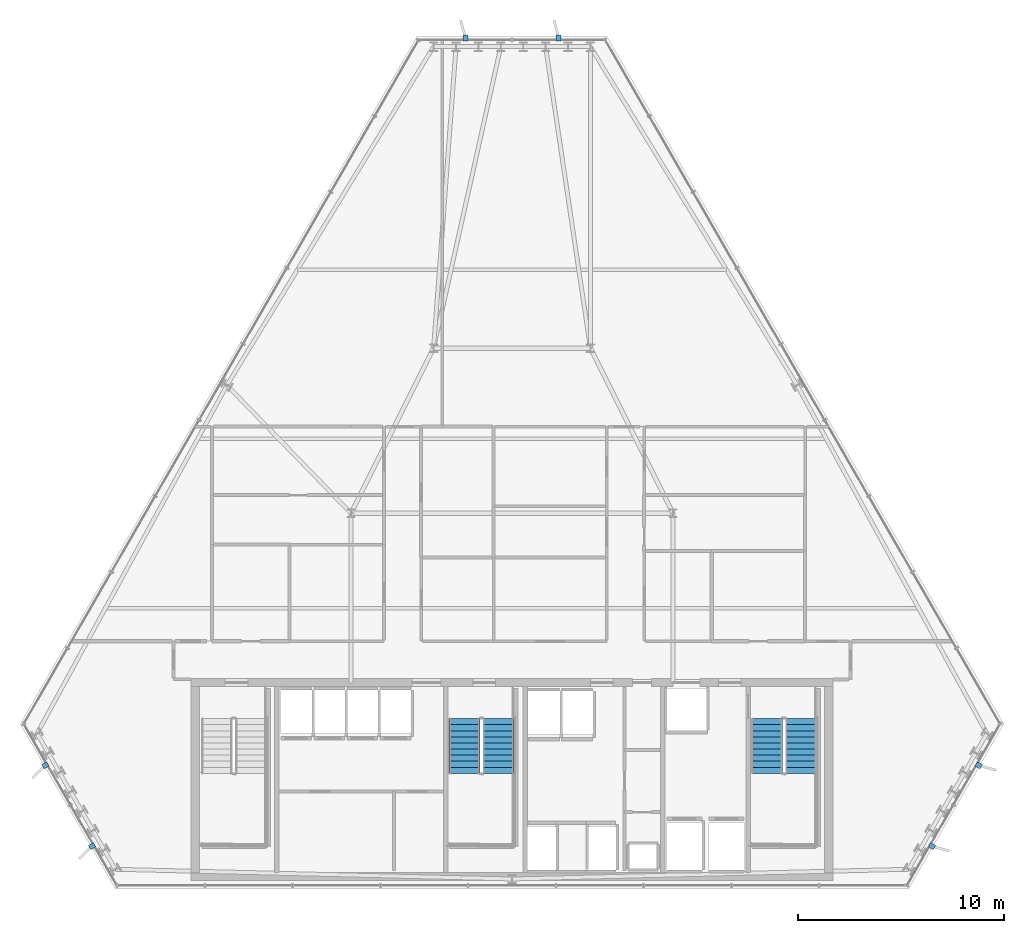
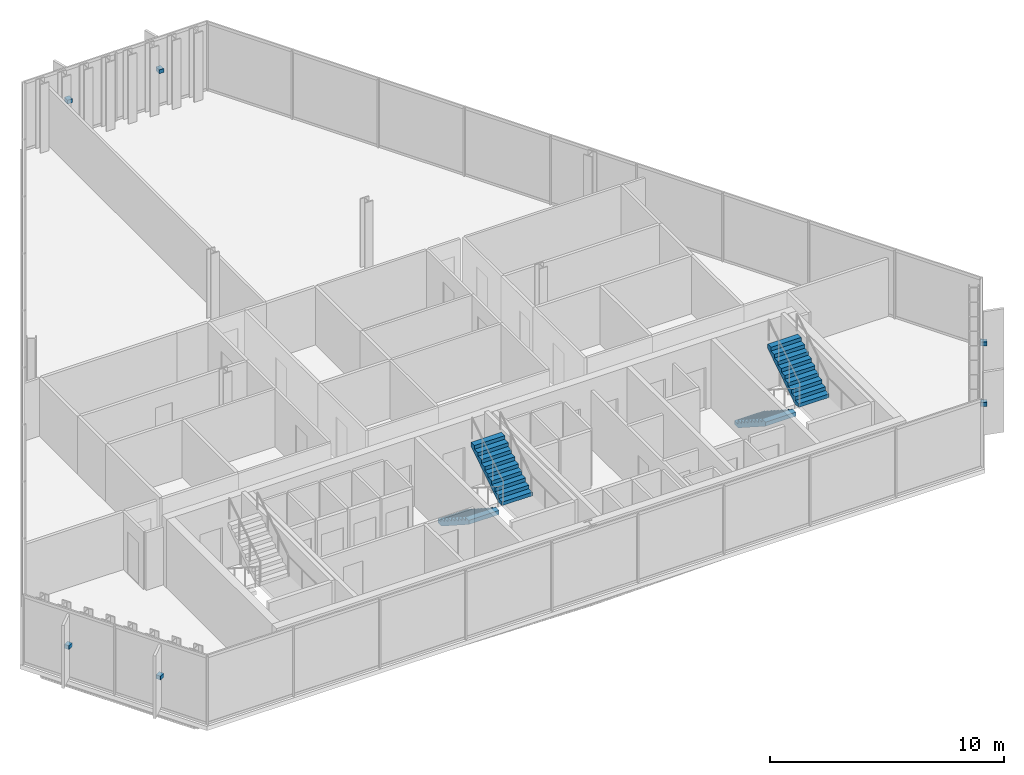
# One storey, part 30 of 34: 6 discrete accessories, 4 stair flights, 2 elements without a shape of their own.
"""IFC4 building model written with IfcOpenShell, lengths in metres."""

import ifcopenshell
import ifcopenshell.guid

model = None  # the IFC model being written
_history = None  # IfcOwnerHistory: only IFC2X3 demands one
_inside = {}  # id of a spatial element -> (the spatial element, [elements in it])
_under = {}  # id of a project, library or spatial element -> (it, [spatial elements below it])
_declared = {}  # id of a project -> (the project, [libraries it declares])
_typed = {}  # id of a type object -> (the type object, [elements of that type])
_made_of = {}  # id of a material, layer set ... -> (it, [elements and type objects made of it])


def new_model(schema):
    """Start an empty IFC model of exactly this schema.

    Asked for "IFC4X3", IfcOpenShell would pick the latest addendum, in which some entities
    have other attributes; the version numbers below select the first issue.
    IFC2X3 requires an IfcOwnerHistory on every rooted entity: one is made here for all.
    """
    global model, _history
    if schema == "IFC4X3":
        model = ifcopenshell.file(schema_version=(4, 3, 0, 0))
    else:
        model = ifcopenshell.file(schema=schema)
    _inside.clear()
    _under.clear()
    _declared.clear()
    _typed.clear()
    _made_of.clear()
    _history = None
    if model.schema == "IFC2X3":
        org = make("IfcOrganization", Name="unknown")
        user = make(
            "IfcPersonAndOrganization",
            ThePerson=make("IfcPerson", FamilyName="unknown"),
            TheOrganization=org,
        )
        app = make(
            "IfcApplication",
            ApplicationDeveloper=org,
            Version="unknown",
            ApplicationFullName="unknown",
            ApplicationIdentifier="unknown",
        )
        _history = make(
            "IfcOwnerHistory",
            OwningUser=user,
            OwningApplication=app,
            ChangeAction="ADDED",
            CreationDate=0,
        )
    return model


def make(cls, **values):
    """One entity of the class cls with the attributes given. An attribute that is None is left unset."""
    return model.create_entity(
        cls, **{name: value for name, value in values.items() if value is not None}
    )


def rooted(cls, **values):
    """An entity with a GlobalId (a new one), such as an element, a storey or a relation."""
    return make(cls, GlobalId=ifcopenshell.guid.new(), OwnerHistory=_history, **values)


def si_unit(unit_type, name, prefix=None):
    """IfcSIUnit, for example si_unit("LENGTHUNIT", "METRE", prefix="MILLI")."""
    return make("IfcSIUnit", UnitType=unit_type, Prefix=prefix, Name=name)


def assignment(units):
    """IfcUnitAssignment: the units of a project."""
    return None if units is None else make("IfcUnitAssignment", Units=units)


def point(xyz):
    """IfcCartesianPoint."""
    return None if xyz is None else make("IfcCartesianPoint", Coordinates=xyz)


def direction(xyz):
    """IfcDirection."""
    return None if xyz is None else make("IfcDirection", DirectionRatios=xyz)


def frame(location, z_axis=None, x_axis=None):
    """IfcAxis2Placement3D, a coordinate frame: its origin and axes. An axis left out is left unset."""
    return make(
        "IfcAxis2Placement3D",
        Location=point(location),
        Axis=direction(z_axis),
        RefDirection=direction(x_axis),
    )


def frame_2d(location, x_axis=None):
    """IfcAxis2Placement2D, a coordinate frame in the plane: its origin and x axis."""
    return make(
        "IfcAxis2Placement2D", Location=point(location), RefDirection=direction(x_axis)
    )


def origin():
    """The frame at (0, 0, 0) with its axes left unset."""
    return frame((0.0, 0.0, 0.0))


def origin_2d():
    """The frame at (0, 0) in the plane with its x axis left unset."""
    return frame_2d((0.0, 0.0))


def place(relative_to, where):
    """IfcLocalPlacement: puts the frame where relative to a parent placement (None: the world)."""
    return make(
        "IfcLocalPlacement", PlacementRelTo=relative_to, RelativePlacement=where
    )


def context(
    kind, dimensions, precision=None, world=None, true_north=None, identifier=None
):
    """IfcGeometricRepresentationContext, for example the 3D "Model" context."""
    return make(
        "IfcGeometricRepresentationContext",
        ContextIdentifier=identifier,
        ContextType=kind,
        CoordinateSpaceDimension=dimensions,
        Precision=precision,
        WorldCoordinateSystem=world,
        TrueNorth=true_north,
    )


def subcontext(parent, identifier, kind, view, scale=None):
    """IfcGeometricRepresentationSubContext, for example "Body" below "Model"."""
    return make(
        "IfcGeometricRepresentationSubContext",
        ContextIdentifier=identifier,
        ContextType=kind,
        ParentContext=parent,
        TargetScale=scale,
        TargetView=view,
    )


def project(units=None, contexts=None):
    """IfcProject with its units and contexts."""
    return rooted(
        "IfcProject",
        Name="project",
        RepresentationContexts=contexts,
        UnitsInContext=assignment(units),
    )


def spatial(cls, under=None, at=None, **own):
    """A site, building, storey or space (cls), placed at a placement, below another one or the project."""
    s = rooted(cls, ObjectPlacement=at, **own)
    if under is not None:
        _under.setdefault(under.id(), (under, []))[1].append(s)
    return s


def polyline(points):
    """IfcPolyline through the points."""
    return make("IfcPolyline", Points=[point(p) for p in points])


def profile(cls, at=None, kind="AREA", **sizes):
    """A parametric profile (cls). Its sizes go by their IFC names, for example OverallWidth=200.0."""
    return make(cls, ProfileType=kind, Position=at, **sizes)


def rectangle(**sizes):
    """IfcRectangleProfileDef."""
    return profile("IfcRectangleProfileDef", **sizes)


def outline(outer, holes=None, kind="AREA"):
    """IfcArbitraryClosedProfileDef: a profile drawn as a closed curve; with holes, ...WithVoids."""
    if holes is None:
        return make("IfcArbitraryClosedProfileDef", ProfileType=kind, OuterCurve=outer)
    return make(
        "IfcArbitraryProfileDefWithVoids",
        ProfileType=kind,
        OuterCurve=outer,
        InnerCurves=holes,
    )


def extrude(swept, where, along, depth):
    """IfcExtrudedAreaSolid: the profile swept, set in the frame where, extruded along a direction by depth."""
    return make(
        "IfcExtrudedAreaSolid",
        SweptArea=swept,
        Position=where,
        ExtrudedDirection=direction(along),
        Depth=depth,
    )


def shape(context_of_items, identifier, shape_type, items):
    """IfcShapeRepresentation: the items that make up one representation, for example the "Body"."""
    return make(
        "IfcShapeRepresentation",
        ContextOfItems=context_of_items,
        RepresentationIdentifier=identifier,
        RepresentationType=shape_type,
        Items=items,
    )


def material(Name=None, Category=None):
    """IfcMaterial."""
    return make("IfcMaterial", Name=Name, Category=Category)


def made_of(thing, what):
    """Note that an element or type object is made of a material, layer set ...; save() writes the relation."""
    if what is not None:
        _made_of.setdefault(what.id(), (what, []))[1].append(thing)
    return thing


def type_object(cls, material=None, **own):
    """A type object (cls), such as IfcWallType, which elements share."""
    return made_of(rooted(cls, **own), material)


def element(
    cls,
    number,
    at=None,
    inside=None,
    cuts=None,
    type_object=None,
    material=None,
    context=None,
    identifier="Body",
    shape_type=None,
    held_by="IfcProductDefinitionShape",
    body=None,
    shapes=None,
    **own,
):
    """One element of the class cls, such as IfcWall. Its Tag is "e" and its number.

    at: its placement. inside: the storey or other place that contains it. cuts: it is an
    opening in that element (IfcRelVoidsElement). A single representation is given by context,
    identifier, shape_type and body (its items); several are given by shapes. held_by: the class
    of the entity that holds the representations. save() writes the other relations.
    """
    e = rooted(cls, Tag="e%d" % number, ObjectPlacement=at, **own)
    if body is not None:
        shapes = [shape(context, identifier, shape_type, body)]
    if shapes is not None:
        e.Representation = make(held_by, Representations=shapes)
    if inside is not None:
        _inside.setdefault(inside.id(), (inside, []))[1].append(e)
    if cuts is not None:
        rooted(
            "IfcRelVoidsElement", RelatingBuildingElement=cuts, RelatedOpeningElement=e
        )
    if type_object is not None:
        _typed.setdefault(type_object.id(), (type_object, []))[1].append(e)
    return made_of(e, material)


def aggregate(whole, parts):
    """IfcRelAggregates: a whole, such as a stair, and the parts it consists of."""
    return rooted("IfcRelAggregates", RelatingObject=whole, RelatedObjects=parts)


def save(model, path):
    """Write the relations noted so far, then the file.

    IfcRelAggregates (storeys below a building ...), IfcRelContainedInSpatialStructure (elements
    in a storey), IfcRelDefinesByType, IfcRelAssociatesMaterial and IfcRelDeclares: one each for
    every whole, place, type object, material and project.
    """
    for whole, parts in _under.values():
        aggregate(whole, parts)
    for where, things in _inside.values():
        rooted(
            "IfcRelContainedInSpatialStructure",
            RelatedElements=things,
            RelatingStructure=where,
        )
    for kind, things in _typed.values():
        rooted("IfcRelDefinesByType", RelatedObjects=things, RelatingType=kind)
    for what, things in _made_of.values():
        rooted("IfcRelAssociatesMaterial", RelatedObjects=things, RelatingMaterial=what)
    for by, libraries in _declared.values():
        rooted("IfcRelDeclares", RelatingContext=by, RelatedDefinitions=libraries)
    model.write(path)


model = new_model("IFC4")

# Units and contexts
model_context = context("Model", 3, precision=1e-05, world=origin(), true_north=direction((0.0, 1.0)))
body_context = subcontext(model_context, "Body", "Model", "MODEL_VIEW")
ifc_project = project(units=[si_unit("LENGTHUNIT", "METRE"), si_unit("AREAUNIT", "SQUARE_METRE"), si_unit("VOLUMEUNIT", "CUBIC_METRE"), si_unit("PLANEANGLEUNIT", "RADIAN"), si_unit("MASSUNIT", "GRAM", prefix="KILO")], contexts=[model_context])

# Site, building, storey
site_placement = place(None, origin())
site = spatial("IfcSite", under=ifc_project, at=site_placement, CompositionType="ELEMENT")
building_placement = place(site_placement, origin())
building = spatial("IfcBuilding", under=site, at=building_placement, Name="Ndaravel Arena Tower", CompositionType="ELEMENT")
storey_placement = place(building_placement, frame((0.0, 0.0, 195.39990234375)))
storey = spatial("IfcBuildingStorey", under=building, at=storey_placement, Name="L47", CompositionType="ELEMENT", Elevation=195.39990234375)

# Stair, stair flights
ifc_material_1 = material(Name="Concrete C40/50", Category="concrete")
stair_type = type_object("IfcStairType", Name="STAIR-CORE-HT", PredefinedType="HALF_TURN_STAIR", material=ifc_material_1)
stair_1_placement = place(storey_placement, origin())
stair_1 = element("IfcStair", 1, at=stair_1_placement, inside=storey, type_object=stair_type, Name="L47 ST-2", PredefinedType="HALF_TURN_STAIR")
ifc_material_2 = material(Name="Concrete C40/50", Category="concrete")
stair_flight_type = type_object("IfcStairFlightType", Name="SFLIGHT-CORE-1680", PredefinedType="STRAIGHT", material=ifc_material_2)
stair_flight_1_placement = place(storey_placement, frame((39.699951171875, 13.25, 0.0), z_axis=(0.0, 0.0, 1.0), x_axis=(0.0, -1.0, 0.0)))
stair_flight_1 = element("IfcStairFlight", 2, at=stair_flight_1_placement, type_object=stair_flight_type, Name="ST-2 flight 1", NumberOfRisers=10, NumberOfTreads=9, PredefinedType="STRAIGHT", RiserHeight=0.19, TreadLength=0.295, context=body_context, shape_type="SweptSolid", body=[
    extrude(outline(polyline([(0.0, 0.0), (0.0, 0.18994140625), (0.294921875, 0.18994140625), (0.294921875, 0.3798828125), (0.590087890625, 0.3798828125), (0.590087890625, 0.570068359375), (0.885009765625, 0.570068359375), (0.885009765625, 0.760009765625), (1.179931640625, 0.760009765625), (1.179931640625, 0.949951171875), (1.47509765625, 0.949951171875), (1.47509765625, 1.139892578125), (1.77001953125, 1.139892578125), (1.77001953125, 1.330078125), (2.06494140625, 1.330078125), (2.06494140625, 1.52001953125), (2.360107421875, 1.52001953125), (2.360107421875, 1.7099609375), (2.655029296875, 1.7099609375), (2.655029296875, 1.89990234375), (2.655029296875, 1.49609375), (0.332275390625, 0.0), (0.0, 0.0)])), frame((0.0, 0.75, 0.0), z_axis=(0.0, -1.0, 0.0), x_axis=(1.0, 0.0, 0.0)), (0.0, 0.0, 1.0), 1.5),
])
stair_flight_2_placement = place(storey_placement, frame((41.340087890625, 10.594970703125, 1.900146484375), z_axis=(0.0, 0.0, 1.0), x_axis=(0.0, 1.0, 0.0)))
stair_flight_2 = element("IfcStairFlight", 3, at=stair_flight_2_placement, type_object=stair_flight_type, Name="ST-2 flight 2", NumberOfRisers=10, NumberOfTreads=9, PredefinedType="STRAIGHT", RiserHeight=0.19, TreadLength=0.295, context=body_context, shape_type="SweptSolid", body=[
    extrude(outline(polyline([(0.0, 0.0), (0.0, 0.18994140625), (0.294921875, 0.18994140625), (0.294921875, 0.3798828125), (0.590087890625, 0.3798828125), (0.590087890625, 0.570068359375), (0.885009765625, 0.570068359375), (0.885009765625, 0.760009765625), (1.179931640625, 0.760009765625), (1.179931640625, 0.949951171875), (1.47509765625, 0.949951171875), (1.47509765625, 1.139892578125), (1.77001953125, 1.139892578125), (1.77001953125, 1.330078125), (2.06494140625, 1.330078125), (2.06494140625, 1.52001953125), (2.360107421875, 1.52001953125), (2.360107421875, 1.7099609375), (2.655029296875, 1.7099609375), (2.655029296875, 1.89990234375), (2.655029296875, 1.49609375), (0.332275390625, 0.0), (0.0, 0.0)])), frame((0.0, 0.75, 0.0), z_axis=(0.0, -1.0, 0.0), x_axis=(1.0, 0.0, 0.0)), (0.0, 0.0, 1.0), 1.5),
])
aggregate(stair_1, [stair_flight_1, stair_flight_2])

stair_2_placement = place(storey_placement, origin())
stair_2 = element("IfcStair", 4, at=stair_2_placement, inside=storey, type_object=stair_type, Name="L47 ST-3", PredefinedType="HALF_TURN_STAIR")
stair_flight_3_placement = place(storey_placement, frame((54.35009765625, 13.25, 0.0), z_axis=(0.0, 0.0, 1.0), x_axis=(0.0, -1.0, 0.0)))
stair_flight_3 = element("IfcStairFlight", 5, at=stair_flight_3_placement, type_object=stair_flight_type, Name="ST-3 flight 1", NumberOfRisers=10, NumberOfTreads=9, PredefinedType="STRAIGHT", RiserHeight=0.19, TreadLength=0.295, context=body_context, shape_type="SweptSolid", body=[
    extrude(outline(polyline([(0.0, 0.0), (0.0, 0.18994140625), (0.294921875, 0.18994140625), (0.294921875, 0.3798828125), (0.590087890625, 0.3798828125), (0.590087890625, 0.570068359375), (0.885009765625, 0.570068359375), (0.885009765625, 0.760009765625), (1.179931640625, 0.760009765625), (1.179931640625, 0.949951171875), (1.47509765625, 0.949951171875), (1.47509765625, 1.139892578125), (1.77001953125, 1.139892578125), (1.77001953125, 1.330078125), (2.06494140625, 1.330078125), (2.06494140625, 1.52001953125), (2.360107421875, 1.52001953125), (2.360107421875, 1.7099609375), (2.655029296875, 1.7099609375), (2.655029296875, 1.89990234375), (2.655029296875, 1.49609375), (0.332275390625, 0.0), (0.0, 0.0)])), frame((0.0, 0.75, 0.0), z_axis=(0.0, -1.0, 0.0), x_axis=(1.0, 0.0, 0.0)), (0.0, 0.0, 1.0), 1.5),
])
stair_flight_4_placement = place(storey_placement, frame((55.989990234375, 10.594970703125, 1.900146484375), z_axis=(0.0, 0.0, 1.0), x_axis=(0.0, 1.0, 0.0)))
stair_flight_4 = element("IfcStairFlight", 6, at=stair_flight_4_placement, type_object=stair_flight_type, Name="ST-3 flight 2", NumberOfRisers=10, NumberOfTreads=9, PredefinedType="STRAIGHT", RiserHeight=0.19, TreadLength=0.295, context=body_context, shape_type="SweptSolid", body=[
    extrude(outline(polyline([(0.0, 0.0), (0.0, 0.18994140625), (0.294921875, 0.18994140625), (0.294921875, 0.3798828125), (0.590087890625, 0.3798828125), (0.590087890625, 0.570068359375), (0.885009765625, 0.570068359375), (0.885009765625, 0.760009765625), (1.179931640625, 0.760009765625), (1.179931640625, 0.949951171875), (1.47509765625, 0.949951171875), (1.47509765625, 1.139892578125), (1.77001953125, 1.139892578125), (1.77001953125, 1.330078125), (2.06494140625, 1.330078125), (2.06494140625, 1.52001953125), (2.360107421875, 1.52001953125), (2.360107421875, 1.7099609375), (2.655029296875, 1.7099609375), (2.655029296875, 1.89990234375), (2.655029296875, 1.49609375), (0.332275390625, 0.0), (0.0, 0.0)])), frame((0.0, 0.75, 0.0), z_axis=(0.0, -1.0, 0.0), x_axis=(1.0, 0.0, 0.0)), (0.0, 0.0, 1.0), 1.5),
])
aggregate(stair_2, [stair_flight_3, stair_flight_4])

# Discrete accessories
ifc_material_3 = material(Name="Steel S355", Category="steel")
discrete_accessory_type = type_object("IfcDiscreteAccessoryType", Name="ACC-BRACKET-FIN", PredefinedType="BRACKET", material=ifc_material_3)
for number, where, z_axis, x_axis, name in (
    (7, (62.34619140625, 7.068603515625, 1.68994140625), (0.0, 0.0, 1.0), (0.866025403784, -0.5, 0.0), "L47 Mazeras Stone Solar Fin E2.1 Bracket"),
    (8, (64.607666015625, 10.985595703125, 1.68994140625), (0.0, 0.0, 1.0), (0.866025403784, -0.5, 0.0), "L47 Mazeras Stone Solar Fin E2.2 Bracket"),
    (9, (44.261474609375, 46.22607421875, 1.68994140625), (0.0, 0.0, 1.0), (0.0, 1.0, 0.0), "L47 Mazeras Stone Solar Fin E4.1 Bracket"),
    (10, (39.738525390625, 46.22607421875, 1.68994140625), (0.0, 0.0, 1.0), (0.0, 1.0, 0.0), "L47 Mazeras Stone Solar Fin E4.2 Bracket"),
    (11, (19.392333984375, 10.985595703125, 1.68994140625), (0.0, 0.0, 1.0), (-0.866025403784, -0.5, 0.0), "L47 Mazeras Stone Solar Fin E6.1 Bracket"),
    (12, (21.65380859375, 7.068603515625, 1.68994140625), (0.0, 0.0, 1.0), (-0.866025403784, -0.5, 0.0), "L47 Mazeras Stone Solar Fin E6.2 Bracket"),
):
    element("IfcDiscreteAccessory", number, at=place(storey_placement, frame(where, z_axis=z_axis, x_axis=x_axis)), inside=storey, type_object=discrete_accessory_type, Name=name, PredefinedType="BRACKET", context=body_context, shape_type="SweptSolid", body=[
        extrude(rectangle(XDim=0.280029296875, YDim=0.239990234375, at=origin_2d()), origin(), (0.0, 0.0, 1.0), 0.199951171875),
    ])

save(model, "model.ifc")
